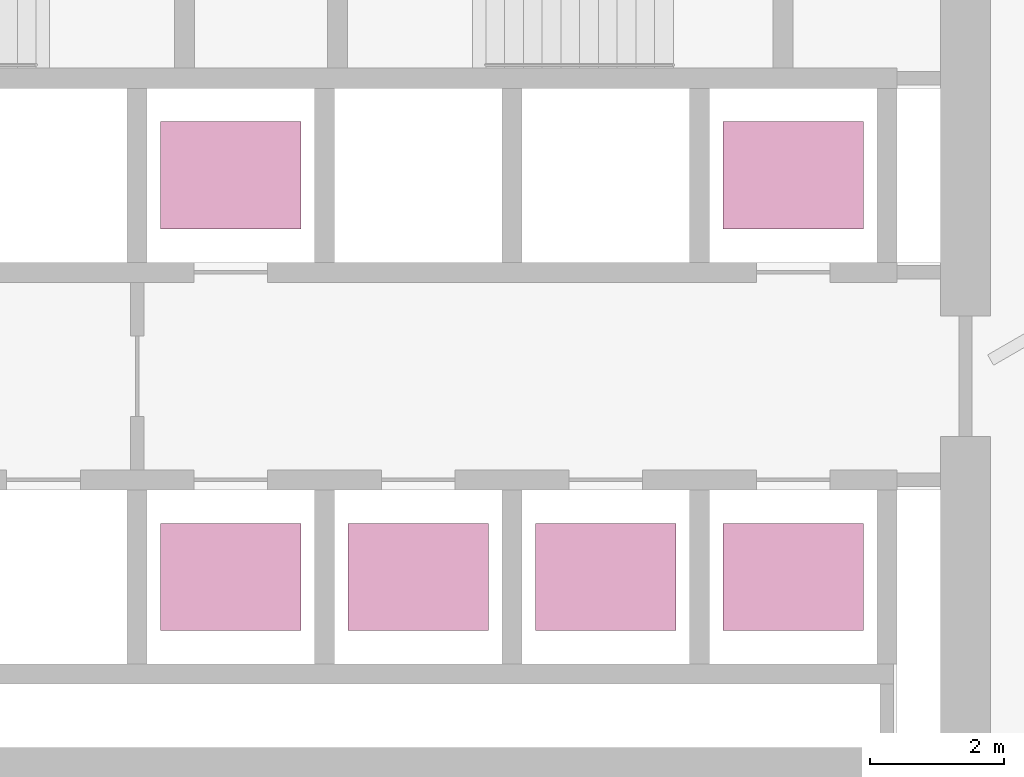
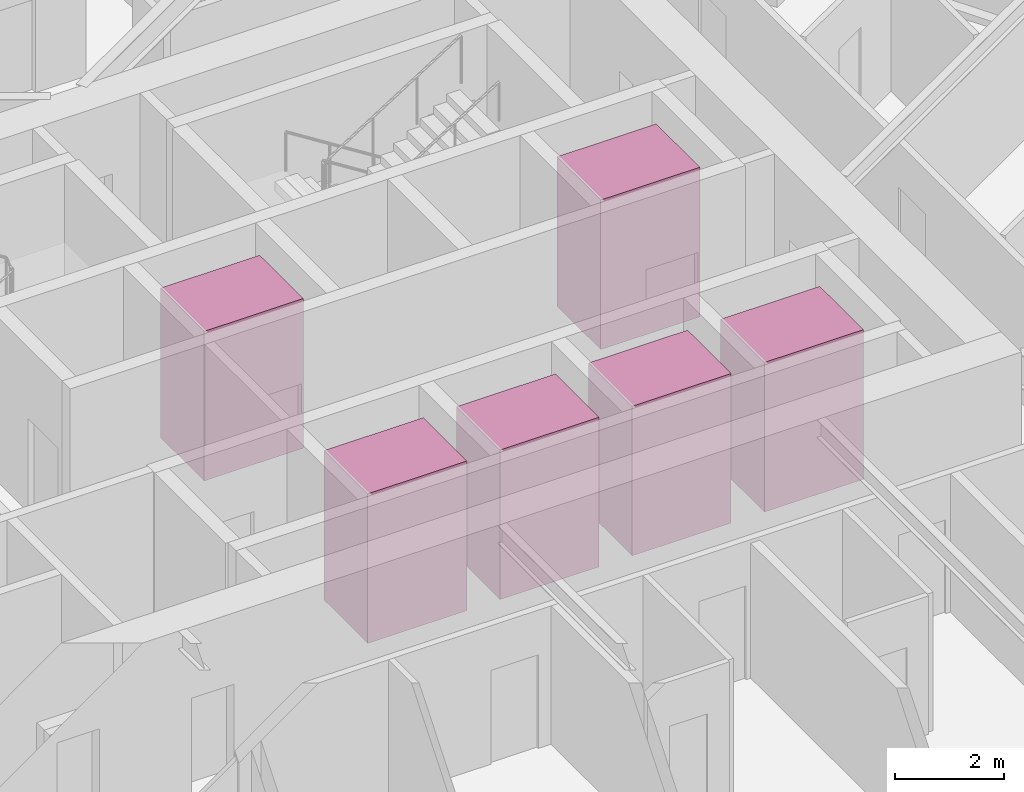
# One storey, part 19 of 19: 6 transport elements.
"""IFC4 building model written with IfcOpenShell, lengths in metres."""

from ifc_helpers import new_model, si_unit, direction, frame, origin, origin_2d, place, context, subcontext, project, spatial, rectangle, extrude, material, type_object, element, save


model = new_model("IFC4")

# Units and contexts
model_context = context("Model", 3, precision=1e-05, world=origin(), true_north=direction((0.0, 1.0)))
body_context = subcontext(model_context, "Body", "Model", "MODEL_VIEW")
ifc_project = project(units=[si_unit("LENGTHUNIT", "METRE"), si_unit("AREAUNIT", "SQUARE_METRE"), si_unit("VOLUMEUNIT", "CUBIC_METRE"), si_unit("PLANEANGLEUNIT", "RADIAN"), si_unit("MASSUNIT", "GRAM", prefix="KILO")], contexts=[model_context])

# Site, building, storey
site_placement = place(None, origin())
site = spatial("IfcSite", under=ifc_project, at=site_placement, CompositionType="ELEMENT")
building_placement = place(site_placement, origin())
building = spatial("IfcBuilding", under=site, at=building_placement, Name="Firuza Gate Tower and Library", CompositionType="ELEMENT")
storey_placement = place(building_placement, frame((0.0, 0.0, 210.39990234375)))
storey = spatial("IfcBuildingStorey", under=building, at=storey_placement, Name="L49", CompositionType="ELEMENT", Elevation=210.39990234375)

# Transport elements
ifc_material = material(Name="Stainless steel and glass", Category="steel")
transport_element_type = type_object("IfcTransportElementType", Name="Mid-rise lift car 2100x1600", PredefinedType="ELEVATOR", material=ifc_material)
for number, where, z_axis, x_axis, name in (
    (1, (74.64990234375, 70.300048828125, 0.0), (0.0, 0.0, 1.0), (1.0, 0.0, 0.0), "Mid-rise lift MR1"),
    (2, (77.449951171875, 70.300048828125, 0.0), (0.0, 0.0, 1.0), (1.0, 0.0, 0.0), "Mid-rise lift MR2"),
    (3, (80.25, 70.300048828125, 0.0), (0.0, 0.0, 1.0), (1.0, 0.0, 0.0), "Mid-rise lift MR3"),
    (4, (74.64990234375, 76.300048828125, 0.0), (0.0, 0.0, 1.0), (1.0, 0.0, 0.0), "Mid-rise lift MR4"),
    (5, (83.050048828125, 70.300048828125, 0.0), (0.0, 0.0, 1.0), (1.0, 0.0, 0.0), "Mid-rise lift MR5"),
    (6, (83.050048828125, 76.300048828125, 0.0), (0.0, 0.0, 1.0), (1.0, 0.0, 0.0), "Mid-rise lift MR6"),
):
    element("IfcTransportElement", number, at=place(storey_placement, frame(where, z_axis=z_axis, x_axis=x_axis)), inside=storey, type_object=transport_element_type, Name=name, PredefinedType="ELEVATOR", context=body_context, shape_type="SweptSolid", body=[
        extrude(rectangle(XDim=2.10009765625, YDim=1.60009765625, at=origin_2d()), origin(), (0.0, 0.0, 1.0), 3.35009765625),
    ])

save(model, "model.ifc")
